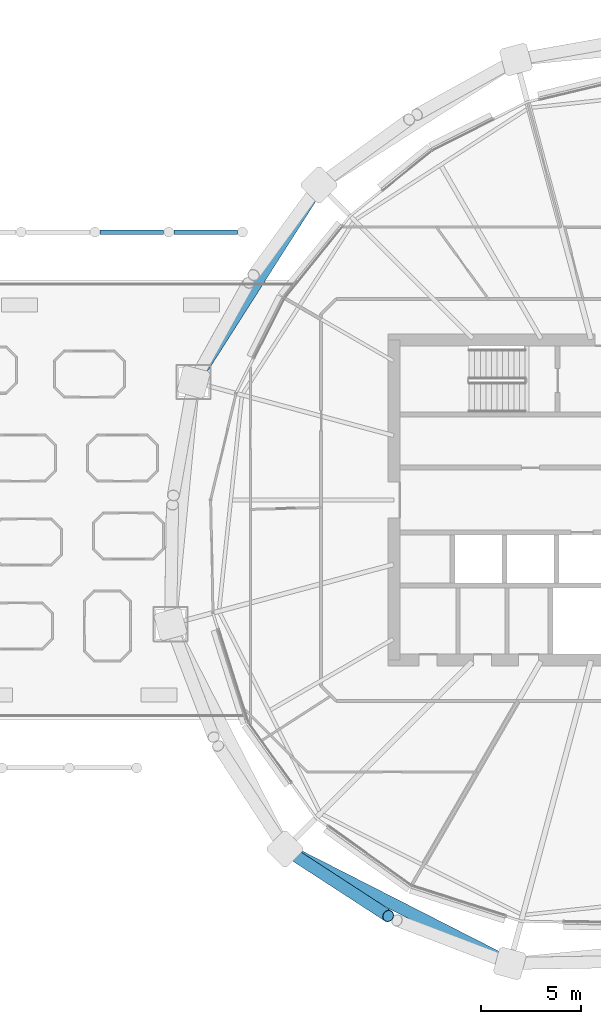
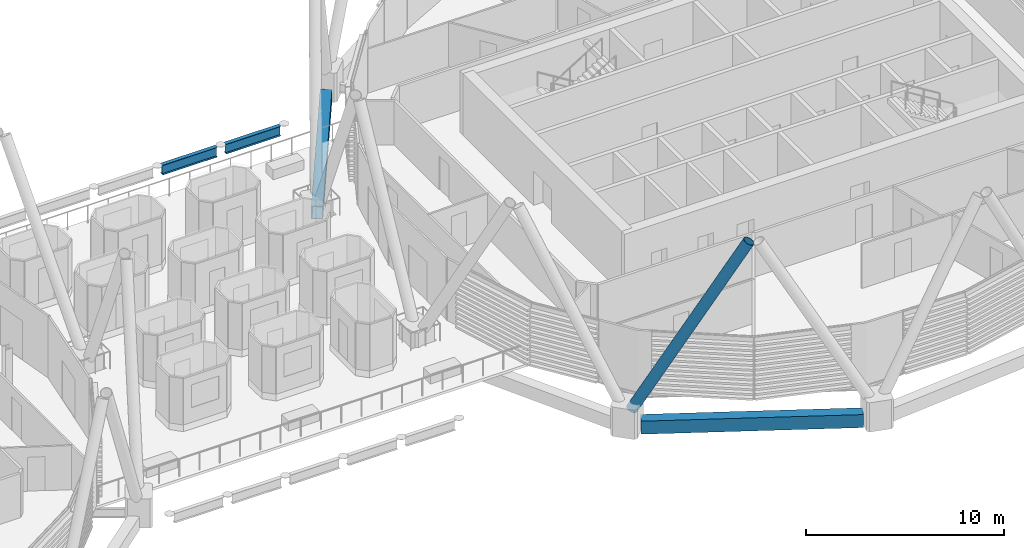
# One storey, part 13 of 38: 4 beams, 1 member.
"""IFC4 building model written with IfcOpenShell, lengths in metres."""

import ifcopenshell
import ifcopenshell.guid

model = None  # the IFC model being written
_history = None  # IfcOwnerHistory: only IFC2X3 demands one
_inside = {}  # id of a spatial element -> (the spatial element, [elements in it])
_under = {}  # id of a project, library or spatial element -> (it, [spatial elements below it])
_declared = {}  # id of a project -> (the project, [libraries it declares])
_typed = {}  # id of a type object -> (the type object, [elements of that type])
_made_of = {}  # id of a material, layer set ... -> (it, [elements and type objects made of it])


def new_model(schema):
    """Start an empty IFC model of exactly this schema.

    Asked for "IFC4X3", IfcOpenShell would pick the latest addendum, in which some entities
    have other attributes; the version numbers below select the first issue.
    IFC2X3 requires an IfcOwnerHistory on every rooted entity: one is made here for all.
    """
    global model, _history
    if schema == "IFC4X3":
        model = ifcopenshell.file(schema_version=(4, 3, 0, 0))
    else:
        model = ifcopenshell.file(schema=schema)
    _inside.clear()
    _under.clear()
    _declared.clear()
    _typed.clear()
    _made_of.clear()
    _history = None
    if model.schema == "IFC2X3":
        org = make("IfcOrganization", Name="unknown")
        user = make(
            "IfcPersonAndOrganization",
            ThePerson=make("IfcPerson", FamilyName="unknown"),
            TheOrganization=org,
        )
        app = make(
            "IfcApplication",
            ApplicationDeveloper=org,
            Version="unknown",
            ApplicationFullName="unknown",
            ApplicationIdentifier="unknown",
        )
        _history = make(
            "IfcOwnerHistory",
            OwningUser=user,
            OwningApplication=app,
            ChangeAction="ADDED",
            CreationDate=0,
        )
    return model


def make(cls, **values):
    """One entity of the class cls with the attributes given. An attribute that is None is left unset."""
    return model.create_entity(
        cls, **{name: value for name, value in values.items() if value is not None}
    )


def rooted(cls, **values):
    """An entity with a GlobalId (a new one), such as an element, a storey or a relation."""
    return make(cls, GlobalId=ifcopenshell.guid.new(), OwnerHistory=_history, **values)


def si_unit(unit_type, name, prefix=None):
    """IfcSIUnit, for example si_unit("LENGTHUNIT", "METRE", prefix="MILLI")."""
    return make("IfcSIUnit", UnitType=unit_type, Prefix=prefix, Name=name)


def assignment(units):
    """IfcUnitAssignment: the units of a project."""
    return None if units is None else make("IfcUnitAssignment", Units=units)


def point(xyz):
    """IfcCartesianPoint."""
    return None if xyz is None else make("IfcCartesianPoint", Coordinates=xyz)


def direction(xyz):
    """IfcDirection."""
    return None if xyz is None else make("IfcDirection", DirectionRatios=xyz)


def frame(location, z_axis=None, x_axis=None):
    """IfcAxis2Placement3D, a coordinate frame: its origin and axes. An axis left out is left unset."""
    return make(
        "IfcAxis2Placement3D",
        Location=point(location),
        Axis=direction(z_axis),
        RefDirection=direction(x_axis),
    )


def frame_2d(location, x_axis=None):
    """IfcAxis2Placement2D, a coordinate frame in the plane: its origin and x axis."""
    return make(
        "IfcAxis2Placement2D", Location=point(location), RefDirection=direction(x_axis)
    )


def origin():
    """The frame at (0, 0, 0) with its axes left unset."""
    return frame((0.0, 0.0, 0.0))


def origin_2d():
    """The frame at (0, 0) in the plane with its x axis left unset."""
    return frame_2d((0.0, 0.0))


def place(relative_to, where):
    """IfcLocalPlacement: puts the frame where relative to a parent placement (None: the world)."""
    return make(
        "IfcLocalPlacement", PlacementRelTo=relative_to, RelativePlacement=where
    )


def context(
    kind, dimensions, precision=None, world=None, true_north=None, identifier=None
):
    """IfcGeometricRepresentationContext, for example the 3D "Model" context."""
    return make(
        "IfcGeometricRepresentationContext",
        ContextIdentifier=identifier,
        ContextType=kind,
        CoordinateSpaceDimension=dimensions,
        Precision=precision,
        WorldCoordinateSystem=world,
        TrueNorth=true_north,
    )


def subcontext(parent, identifier, kind, view, scale=None):
    """IfcGeometricRepresentationSubContext, for example "Body" below "Model"."""
    return make(
        "IfcGeometricRepresentationSubContext",
        ContextIdentifier=identifier,
        ContextType=kind,
        ParentContext=parent,
        TargetScale=scale,
        TargetView=view,
    )


def project(units=None, contexts=None):
    """IfcProject with its units and contexts."""
    return rooted(
        "IfcProject",
        Name="project",
        RepresentationContexts=contexts,
        UnitsInContext=assignment(units),
    )


def spatial(cls, under=None, at=None, **own):
    """A site, building, storey or space (cls), placed at a placement, below another one or the project."""
    s = rooted(cls, ObjectPlacement=at, **own)
    if under is not None:
        _under.setdefault(under.id(), (under, []))[1].append(s)
    return s


def profile(cls, at=None, kind="AREA", **sizes):
    """A parametric profile (cls). Its sizes go by their IFC names, for example OverallWidth=200.0."""
    return make(cls, ProfileType=kind, Position=at, **sizes)


def hollow_rectangle(**sizes):
    """IfcRectangleHollowProfileDef."""
    return profile("IfcRectangleHollowProfileDef", **sizes)


def hollow_circle(**sizes):
    """IfcCircleHollowProfileDef."""
    return profile("IfcCircleHollowProfileDef", **sizes)


def i_section(**sizes):
    """IfcIShapeProfileDef."""
    return profile("IfcIShapeProfileDef", **sizes)


def extrude(swept, where, along, depth):
    """IfcExtrudedAreaSolid: the profile swept, set in the frame where, extruded along a direction by depth."""
    return make(
        "IfcExtrudedAreaSolid",
        SweptArea=swept,
        Position=where,
        ExtrudedDirection=direction(along),
        Depth=depth,
    )


def shape(context_of_items, identifier, shape_type, items):
    """IfcShapeRepresentation: the items that make up one representation, for example the "Body"."""
    return make(
        "IfcShapeRepresentation",
        ContextOfItems=context_of_items,
        RepresentationIdentifier=identifier,
        RepresentationType=shape_type,
        Items=items,
    )


def material(Name=None, Category=None):
    """IfcMaterial."""
    return make("IfcMaterial", Name=Name, Category=Category)


def material_profile(
    of_material, cross_section, Name=None, Category=None, Priority=None
):
    """IfcMaterialProfile: a cross section and its material."""
    return make(
        "IfcMaterialProfile",
        Name=Name,
        Material=of_material,
        Profile=cross_section,
        Priority=Priority,
        Category=Category,
    )


def profile_set(profiles, Name=None, composite=None):
    """IfcMaterialProfileSet."""
    return make(
        "IfcMaterialProfileSet",
        Name=Name,
        MaterialProfiles=profiles,
        CompositeProfile=composite,
    )


def made_of(thing, what):
    """Note that an element or type object is made of a material, layer set ...; save() writes the relation."""
    if what is not None:
        _made_of.setdefault(what.id(), (what, []))[1].append(thing)
    return thing


def type_object(cls, material=None, **own):
    """A type object (cls), such as IfcWallType, which elements share."""
    return made_of(rooted(cls, **own), material)


def element(
    cls,
    number,
    at=None,
    inside=None,
    cuts=None,
    type_object=None,
    material=None,
    context=None,
    identifier="Body",
    shape_type=None,
    held_by="IfcProductDefinitionShape",
    body=None,
    shapes=None,
    **own,
):
    """One element of the class cls, such as IfcWall. Its Tag is "e" and its number.

    at: its placement. inside: the storey or other place that contains it. cuts: it is an
    opening in that element (IfcRelVoidsElement). A single representation is given by context,
    identifier, shape_type and body (its items); several are given by shapes. held_by: the class
    of the entity that holds the representations. save() writes the other relations.
    """
    e = rooted(cls, Tag="e%d" % number, ObjectPlacement=at, **own)
    if body is not None:
        shapes = [shape(context, identifier, shape_type, body)]
    if shapes is not None:
        e.Representation = make(held_by, Representations=shapes)
    if inside is not None:
        _inside.setdefault(inside.id(), (inside, []))[1].append(e)
    if cuts is not None:
        rooted(
            "IfcRelVoidsElement", RelatingBuildingElement=cuts, RelatedOpeningElement=e
        )
    if type_object is not None:
        _typed.setdefault(type_object.id(), (type_object, []))[1].append(e)
    return made_of(e, material)


def aggregate(whole, parts):
    """IfcRelAggregates: a whole, such as a stair, and the parts it consists of."""
    return rooted("IfcRelAggregates", RelatingObject=whole, RelatedObjects=parts)


def save(model, path):
    """Write the relations noted so far, then the file.

    IfcRelAggregates (storeys below a building ...), IfcRelContainedInSpatialStructure (elements
    in a storey), IfcRelDefinesByType, IfcRelAssociatesMaterial and IfcRelDeclares: one each for
    every whole, place, type object, material and project.
    """
    for whole, parts in _under.values():
        aggregate(whole, parts)
    for where, things in _inside.values():
        rooted(
            "IfcRelContainedInSpatialStructure",
            RelatedElements=things,
            RelatingStructure=where,
        )
    for kind, things in _typed.values():
        rooted("IfcRelDefinesByType", RelatedObjects=things, RelatingType=kind)
    for what, things in _made_of.values():
        rooted("IfcRelAssociatesMaterial", RelatedObjects=things, RelatingMaterial=what)
    for by, libraries in _declared.values():
        rooted("IfcRelDeclares", RelatingContext=by, RelatedDefinitions=libraries)
    model.write(path)


model = new_model("IFC4")

# Units and contexts
model_context = context("Model", 3, precision=1e-05, world=origin(), true_north=direction((0.0, 1.0)))
body_context = subcontext(model_context, "Body", "Model", "MODEL_VIEW")
ifc_project = project(units=[si_unit("LENGTHUNIT", "METRE"), si_unit("AREAUNIT", "SQUARE_METRE"), si_unit("VOLUMEUNIT", "CUBIC_METRE"), si_unit("PLANEANGLEUNIT", "RADIAN"), si_unit("MASSUNIT", "GRAM", prefix="KILO")], contexts=[model_context])

# Site, building, storey
site_placement = place(None, origin())
site = spatial("IfcSite", under=ifc_project, at=site_placement, CompositionType="ELEMENT")
building_placement = place(site_placement, origin())
building = spatial("IfcBuilding", under=site, at=building_placement, Name="Rimbun Link Towers", CompositionType="ELEMENT")
storey_placement = place(building_placement, frame((0.0, 0.0, 158.89990234375)))
storey = spatial("IfcBuildingStorey", under=building, at=storey_placement, Name="L38", CompositionType="ELEMENT", Elevation=158.89990234375)

# Member
ifc_material_1 = material(Name="Steel S355J2H", Category="steel")
ifc_material_profile_1 = material_profile(ifc_material_1, hollow_circle(Radius=0.3046875, WallThickness=0.02490234375, at=origin_2d()), Name="Diagrid diagonal CHS 610x25")
ifc_profile_set_1 = profile_set([ifc_material_profile_1], Name="Steel S355J2H")
member_type = type_object("IfcMemberType", Name="Diagrid diagonal CHS 610x25", PredefinedType="BRACE", material=ifc_profile_set_1)
member_placement = place(storey_placement, frame((14.49951171875, -17.589111328125, 0.43603515625), z_axis=(0.41035342177, -0.266713546212, 0.872051577321), x_axis=(0.544965112611, 0.838458720532, 0.0)))
element("IfcMember", 1, at=member_placement, inside=storey, type_object=member_type, Name="Diagrid diagonal T2 L38-L41 12b", PredefinedType="BRACE", context=body_context, shape_type="SweptSolid", body=[
    extrude(hollow_circle(Radius=0.3046875, WallThickness=0.02490234375, at=origin_2d()), origin(), (0.0, 0.0, 1.0), 12.07275390625),
])

# Beams
ifc_material_2 = material(Name="Steel S355J2", Category="steel")
ifc_material_profile_2 = material_profile(ifc_material_2, hollow_rectangle(XDim=0.60009765625, YDim=0.800048828125, WallThickness=0.0400390625, at=origin_2d()), Name="Exoskeleton ring girder BOX 600x800x40")
ifc_profile_set_2 = profile_set([ifc_material_profile_2], Name="Steel S355J2")
beam_type_1 = type_object("IfcBeamType", Name="Exoskeleton ring girder BOX 600x800x40", PredefinedType="BEAM", material=ifc_profile_set_2)
beam_1_placement = place(storey_placement, frame((15.6181640625, 15.165283203125, -0.559814453125), z_axis=(-0.537353242748, -0.843357274533, 0.0), x_axis=(0.843357274533, -0.537353242748, 0.0)))
element("IfcBeam", 2, at=beam_1_placement, inside=storey, type_object=beam_type_1, Name="Exoskeleton ring girder L38 03", PredefinedType="BEAM", context=body_context, shape_type="SweptSolid", body=[
    extrude(hollow_rectangle(XDim=0.60009765625, YDim=0.800048828125, WallThickness=0.0400390625, at=origin_2d()), origin(), (0.0, 0.0, 1.0), 10.28173828125),
])
beam_2_placement = place(storey_placement, frame((14.91796875, -17.7734375, -0.559814453125), z_axis=(0.890918404705, -0.454163402486, 0.0), x_axis=(0.454163402486, 0.890918404705, 0.0)))
element("IfcBeam", 3, at=beam_2_placement, inside=storey, type_object=beam_type_1, Name="Exoskeleton ring girder L38 06", PredefinedType="BEAM", context=body_context, shape_type="SweptSolid", body=[
    extrude(hollow_rectangle(XDim=0.60009765625, YDim=0.800048828125, WallThickness=0.0400390625, at=origin_2d()), origin(), (0.0, 0.0, 1.0), 11.219482421875),
])
ifc_material_3 = material(Name="Steel S355J2", Category="steel")
ifc_material_profile_3 = material_profile(ifc_material_3, i_section(OverallWidth=0.2275390625, OverallDepth=0.6025390625, WebThickness=0.010498046875, FlangeThickness=0.014892578125, at=origin_2d()), Name="UB 610x229x101")
ifc_profile_set_3 = profile_set([ifc_material_profile_3], Name="Steel S355J2")
beam_type_2 = type_object("IfcBeamType", Name="Link megaframe ring beam UB 610x229x101", PredefinedType="BEAM", material=ifc_profile_set_3)
for number, where, z_axis, x_axis, name in (
    (4, (5.03564453125, 13.39990234375, -0.30126953125), (1.0, 0.0, 0.0), (0.0, 1.0, 0.0), "Link megaframe ring beam N4-5 L38"),
    (5, (8.7255859375, 13.39990234375, -0.30126953125), (1.0, 0.0, 0.0), (0.0, 1.0, 0.0), "Link megaframe ring beam N5-6 L38"),
):
    element("IfcBeam", number, at=place(storey_placement, frame(where, z_axis=z_axis, x_axis=x_axis)), inside=storey, type_object=beam_type_2, Name=name, PredefinedType="BEAM", context=body_context, shape_type="SweptSolid", body=[
        extrude(i_section(OverallWidth=0.2275390625, OverallDepth=0.6025390625, WebThickness=0.010498046875, FlangeThickness=0.014892578125, at=origin_2d()), origin(), (0.0, 0.0, 1.0), 3.181884765625),
    ])

save(model, "model.ifc")
